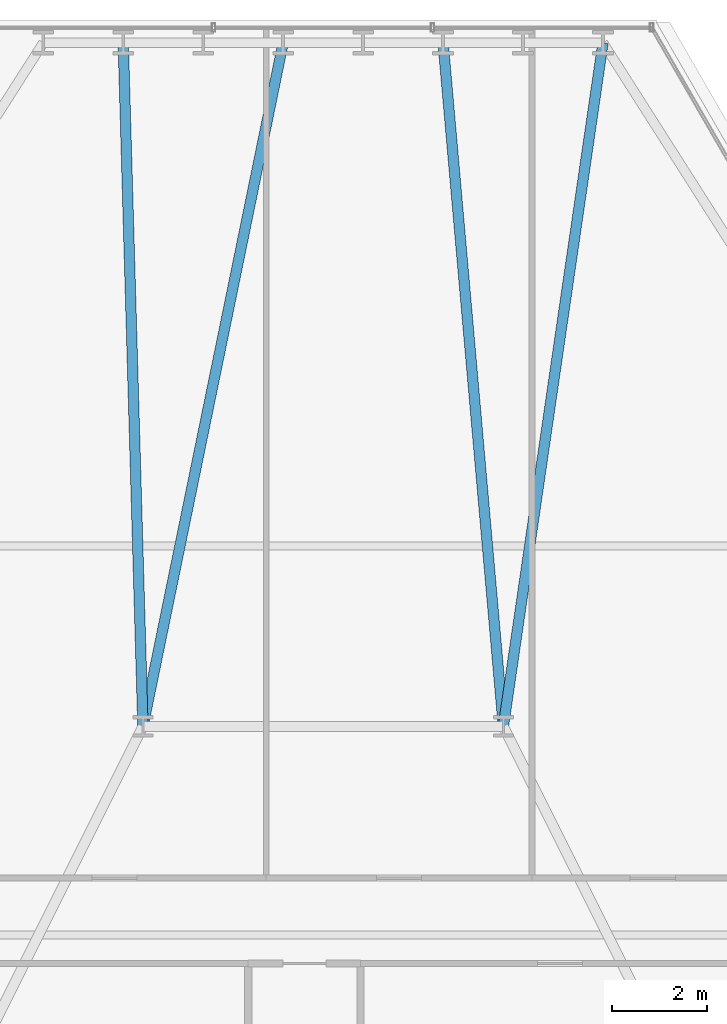
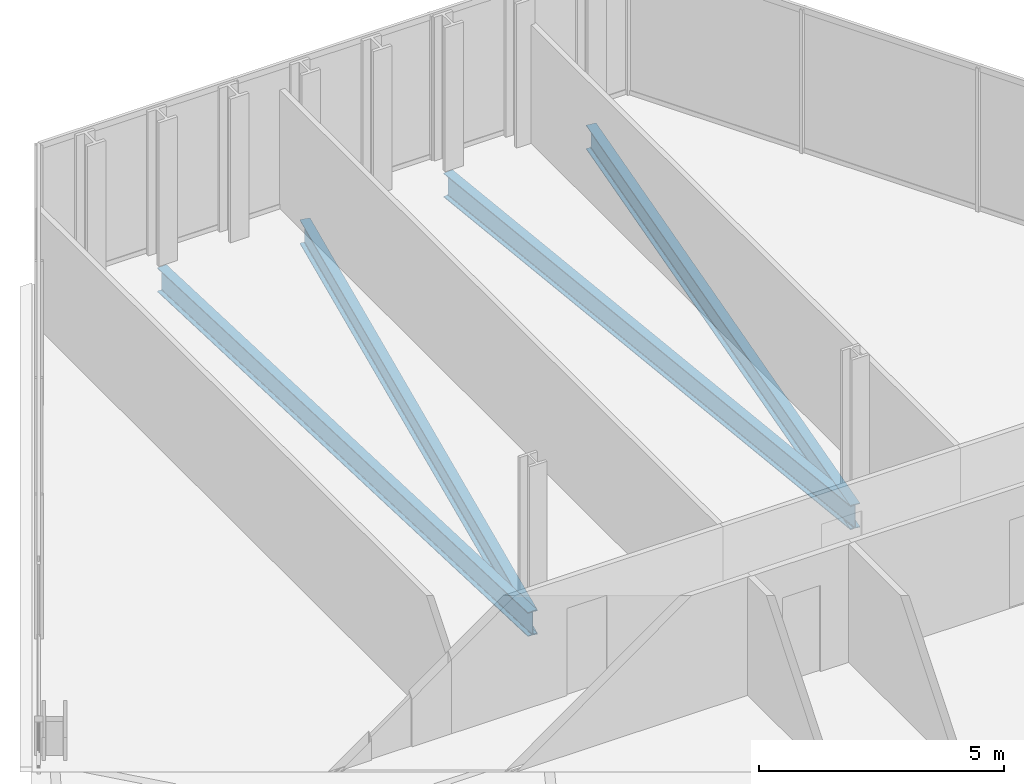
# One storey, part 23 of 32: 4 beams.
"""IFC4 building model written with IfcOpenShell, lengths in metres."""

import ifcopenshell
import ifcopenshell.guid

model = None  # the IFC model being written
_history = None  # IfcOwnerHistory: only IFC2X3 demands one
_inside = {}  # id of a spatial element -> (the spatial element, [elements in it])
_under = {}  # id of a project, library or spatial element -> (it, [spatial elements below it])
_declared = {}  # id of a project -> (the project, [libraries it declares])
_typed = {}  # id of a type object -> (the type object, [elements of that type])
_made_of = {}  # id of a material, layer set ... -> (it, [elements and type objects made of it])


def new_model(schema):
    """Start an empty IFC model of exactly this schema.

    Asked for "IFC4X3", IfcOpenShell would pick the latest addendum, in which some entities
    have other attributes; the version numbers below select the first issue.
    IFC2X3 requires an IfcOwnerHistory on every rooted entity: one is made here for all.
    """
    global model, _history
    if schema == "IFC4X3":
        model = ifcopenshell.file(schema_version=(4, 3, 0, 0))
    else:
        model = ifcopenshell.file(schema=schema)
    _inside.clear()
    _under.clear()
    _declared.clear()
    _typed.clear()
    _made_of.clear()
    _history = None
    if model.schema == "IFC2X3":
        org = make("IfcOrganization", Name="unknown")
        user = make(
            "IfcPersonAndOrganization",
            ThePerson=make("IfcPerson", FamilyName="unknown"),
            TheOrganization=org,
        )
        app = make(
            "IfcApplication",
            ApplicationDeveloper=org,
            Version="unknown",
            ApplicationFullName="unknown",
            ApplicationIdentifier="unknown",
        )
        _history = make(
            "IfcOwnerHistory",
            OwningUser=user,
            OwningApplication=app,
            ChangeAction="ADDED",
            CreationDate=0,
        )
    return model


def make(cls, **values):
    """One entity of the class cls with the attributes given. An attribute that is None is left unset."""
    return model.create_entity(
        cls, **{name: value for name, value in values.items() if value is not None}
    )


def rooted(cls, **values):
    """An entity with a GlobalId (a new one), such as an element, a storey or a relation."""
    return make(cls, GlobalId=ifcopenshell.guid.new(), OwnerHistory=_history, **values)


def si_unit(unit_type, name, prefix=None):
    """IfcSIUnit, for example si_unit("LENGTHUNIT", "METRE", prefix="MILLI")."""
    return make("IfcSIUnit", UnitType=unit_type, Prefix=prefix, Name=name)


def assignment(units):
    """IfcUnitAssignment: the units of a project."""
    return None if units is None else make("IfcUnitAssignment", Units=units)


def point(xyz):
    """IfcCartesianPoint."""
    return None if xyz is None else make("IfcCartesianPoint", Coordinates=xyz)


def direction(xyz):
    """IfcDirection."""
    return None if xyz is None else make("IfcDirection", DirectionRatios=xyz)


def frame(location, z_axis=None, x_axis=None):
    """IfcAxis2Placement3D, a coordinate frame: its origin and axes. An axis left out is left unset."""
    return make(
        "IfcAxis2Placement3D",
        Location=point(location),
        Axis=direction(z_axis),
        RefDirection=direction(x_axis),
    )


def frame_2d(location, x_axis=None):
    """IfcAxis2Placement2D, a coordinate frame in the plane: its origin and x axis."""
    return make(
        "IfcAxis2Placement2D", Location=point(location), RefDirection=direction(x_axis)
    )


def origin():
    """The frame at (0, 0, 0) with its axes left unset."""
    return frame((0.0, 0.0, 0.0))


def origin_2d():
    """The frame at (0, 0) in the plane with its x axis left unset."""
    return frame_2d((0.0, 0.0))


def place(relative_to, where):
    """IfcLocalPlacement: puts the frame where relative to a parent placement (None: the world)."""
    return make(
        "IfcLocalPlacement", PlacementRelTo=relative_to, RelativePlacement=where
    )


def context(
    kind, dimensions, precision=None, world=None, true_north=None, identifier=None
):
    """IfcGeometricRepresentationContext, for example the 3D "Model" context."""
    return make(
        "IfcGeometricRepresentationContext",
        ContextIdentifier=identifier,
        ContextType=kind,
        CoordinateSpaceDimension=dimensions,
        Precision=precision,
        WorldCoordinateSystem=world,
        TrueNorth=true_north,
    )


def subcontext(parent, identifier, kind, view, scale=None):
    """IfcGeometricRepresentationSubContext, for example "Body" below "Model"."""
    return make(
        "IfcGeometricRepresentationSubContext",
        ContextIdentifier=identifier,
        ContextType=kind,
        ParentContext=parent,
        TargetScale=scale,
        TargetView=view,
    )


def project(units=None, contexts=None):
    """IfcProject with its units and contexts."""
    return rooted(
        "IfcProject",
        Name="project",
        RepresentationContexts=contexts,
        UnitsInContext=assignment(units),
    )


def spatial(cls, under=None, at=None, **own):
    """A site, building, storey or space (cls), placed at a placement, below another one or the project."""
    s = rooted(cls, ObjectPlacement=at, **own)
    if under is not None:
        _under.setdefault(under.id(), (under, []))[1].append(s)
    return s


def profile(cls, at=None, kind="AREA", **sizes):
    """A parametric profile (cls). Its sizes go by their IFC names, for example OverallWidth=200.0."""
    return make(cls, ProfileType=kind, Position=at, **sizes)


def i_section(**sizes):
    """IfcIShapeProfileDef."""
    return profile("IfcIShapeProfileDef", **sizes)


def extrude(swept, where, along, depth):
    """IfcExtrudedAreaSolid: the profile swept, set in the frame where, extruded along a direction by depth."""
    return make(
        "IfcExtrudedAreaSolid",
        SweptArea=swept,
        Position=where,
        ExtrudedDirection=direction(along),
        Depth=depth,
    )


def shape(context_of_items, identifier, shape_type, items):
    """IfcShapeRepresentation: the items that make up one representation, for example the "Body"."""
    return make(
        "IfcShapeRepresentation",
        ContextOfItems=context_of_items,
        RepresentationIdentifier=identifier,
        RepresentationType=shape_type,
        Items=items,
    )


def material(Name=None, Category=None):
    """IfcMaterial."""
    return make("IfcMaterial", Name=Name, Category=Category)


def material_profile(
    of_material, cross_section, Name=None, Category=None, Priority=None
):
    """IfcMaterialProfile: a cross section and its material."""
    return make(
        "IfcMaterialProfile",
        Name=Name,
        Material=of_material,
        Profile=cross_section,
        Priority=Priority,
        Category=Category,
    )


def profile_set(profiles, Name=None, composite=None):
    """IfcMaterialProfileSet."""
    return make(
        "IfcMaterialProfileSet",
        Name=Name,
        MaterialProfiles=profiles,
        CompositeProfile=composite,
    )


def made_of(thing, what):
    """Note that an element or type object is made of a material, layer set ...; save() writes the relation."""
    if what is not None:
        _made_of.setdefault(what.id(), (what, []))[1].append(thing)
    return thing


def type_object(cls, material=None, **own):
    """A type object (cls), such as IfcWallType, which elements share."""
    return made_of(rooted(cls, **own), material)


def element(
    cls,
    number,
    at=None,
    inside=None,
    cuts=None,
    type_object=None,
    material=None,
    context=None,
    identifier="Body",
    shape_type=None,
    held_by="IfcProductDefinitionShape",
    body=None,
    shapes=None,
    **own,
):
    """One element of the class cls, such as IfcWall. Its Tag is "e" and its number.

    at: its placement. inside: the storey or other place that contains it. cuts: it is an
    opening in that element (IfcRelVoidsElement). A single representation is given by context,
    identifier, shape_type and body (its items); several are given by shapes. held_by: the class
    of the entity that holds the representations. save() writes the other relations.
    """
    e = rooted(cls, Tag="e%d" % number, ObjectPlacement=at, **own)
    if body is not None:
        shapes = [shape(context, identifier, shape_type, body)]
    if shapes is not None:
        e.Representation = make(held_by, Representations=shapes)
    if inside is not None:
        _inside.setdefault(inside.id(), (inside, []))[1].append(e)
    if cuts is not None:
        rooted(
            "IfcRelVoidsElement", RelatingBuildingElement=cuts, RelatedOpeningElement=e
        )
    if type_object is not None:
        _typed.setdefault(type_object.id(), (type_object, []))[1].append(e)
    return made_of(e, material)


def aggregate(whole, parts):
    """IfcRelAggregates: a whole, such as a stair, and the parts it consists of."""
    return rooted("IfcRelAggregates", RelatingObject=whole, RelatedObjects=parts)


def save(model, path):
    """Write the relations noted so far, then the file.

    IfcRelAggregates (storeys below a building ...), IfcRelContainedInSpatialStructure (elements
    in a storey), IfcRelDefinesByType, IfcRelAssociatesMaterial and IfcRelDeclares: one each for
    every whole, place, type object, material and project.
    """
    for whole, parts in _under.values():
        aggregate(whole, parts)
    for where, things in _inside.values():
        rooted(
            "IfcRelContainedInSpatialStructure",
            RelatedElements=things,
            RelatingStructure=where,
        )
    for kind, things in _typed.values():
        rooted("IfcRelDefinesByType", RelatedObjects=things, RelatingType=kind)
    for what, things in _made_of.values():
        rooted("IfcRelAssociatesMaterial", RelatedObjects=things, RelatingMaterial=what)
    for by, libraries in _declared.values():
        rooted("IfcRelDeclares", RelatingContext=by, RelatedDefinitions=libraries)
    model.write(path)


model = new_model("IFC4")

# Units and contexts
model_context = context("Model", 3, precision=1e-05, world=origin(), true_north=direction((0.0, 1.0)))
body_context = subcontext(model_context, "Body", "Model", "MODEL_VIEW")
ifc_project = project(units=[si_unit("LENGTHUNIT", "METRE"), si_unit("AREAUNIT", "SQUARE_METRE"), si_unit("VOLUMEUNIT", "CUBIC_METRE"), si_unit("PLANEANGLEUNIT", "RADIAN"), si_unit("MASSUNIT", "GRAM", prefix="KILO")], contexts=[model_context])

# Site, building, storey
site_placement = place(None, origin())
site = spatial("IfcSite", under=ifc_project, at=site_placement, CompositionType="ELEMENT")
building_placement = place(site_placement, origin())
building = spatial("IfcBuilding", under=site, at=building_placement, Name="Ndaravel Arena Tower", CompositionType="ELEMENT")
storey_placement = place(building_placement, frame((0.0, 0.0, 93.0)))
storey = spatial("IfcBuildingStorey", under=building, at=storey_placement, Name="L21", CompositionType="ELEMENT", Elevation=93.0)

# Beams
ifc_material = material(Name="Steel S355", Category="steel")
ifc_material_profile = material_profile(ifc_material, i_section(OverallWidth=0.219970703125, OverallDepth=0.60009765625, WebThickness=0.011962890625, FlangeThickness=0.01904296875, FilletRadius=0.02392578125, at=origin_2d()), Name="IPE 600")
ifc_profile_set = profile_set([ifc_material_profile], Name="Steel S355")
beam_type = type_object("IfcBeamType", Name="BM-GIRD-IPE600", PredefinedType="BEAM", material=ifc_profile_set)
beam_1_placement = place(storey_placement, frame((47.90087890625, 45.614013671875, -0.52001953125), z_axis=(-0.144224834802, -0.98954494442, 0.0), x_axis=(0.98954494442, -0.144224834802, 0.0)))
element("IfcBeam", 1, at=beam_1_placement, inside=storey, type_object=beam_type, Name="L21 Radial Floor Girder FG-11", PredefinedType="BEAM", context=body_context, shape_type="SweptSolid", body=[
    extrude(i_section(OverallWidth=0.219970703125, OverallDepth=0.60009765625, WebThickness=0.011962890625, FlangeThickness=0.01904296875, FilletRadius=0.02392578125, at=origin_2d()), origin(), (0.0, 0.0, 1.0), 14.56640625),
])
beam_2_placement = place(storey_placement, frame((44.529052734375, 45.614013671875, -0.52001953125), z_axis=(0.087836690864, -0.996134888325, 0.0), x_axis=(0.996134888325, 0.087836690864, 0.0)))
element("IfcBeam", 2, at=beam_2_placement, inside=storey, type_object=beam_type, Name="L21 Radial Floor Girder FG-13", PredefinedType="BEAM", context=body_context, shape_type="SweptSolid", body=[
    extrude(i_section(OverallWidth=0.219970703125, OverallDepth=0.60009765625, WebThickness=0.011962890625, FlangeThickness=0.01904296875, FilletRadius=0.02392578125, at=origin_2d()), origin(), (0.0, 0.0, 1.0), 14.469970703125),
])
beam_3_placement = place(storey_placement, frame((41.156982421875, 45.614013671875, -0.52001953125), z_axis=(-0.200963740177, -0.979598680651, 0.0), x_axis=(0.979598680651, -0.200963740177, 0.0)))
element("IfcBeam", 3, at=beam_3_placement, inside=storey, type_object=beam_type, Name="L21 Radial Floor Girder FG-15", PredefinedType="BEAM", context=body_context, shape_type="SweptSolid", body=[
    extrude(i_section(OverallWidth=0.219970703125, OverallDepth=0.60009765625, WebThickness=0.011962890625, FlangeThickness=0.01904296875, FilletRadius=0.02392578125, at=origin_2d()), origin(), (0.0, 0.0, 1.0), 14.71435546875),
])
beam_4_placement = place(storey_placement, frame((37.78515625, 45.614013671875, -0.52001953125), z_axis=(0.028765192199, -0.999586196242, 0.0), x_axis=(0.999586196242, 0.028765192199, 0.0)))
element("IfcBeam", 4, at=beam_4_placement, inside=storey, type_object=beam_type, Name="L21 Radial Floor Girder FG-17", PredefinedType="BEAM", context=body_context, shape_type="SweptSolid", body=[
    extrude(i_section(OverallWidth=0.219970703125, OverallDepth=0.60009765625, WebThickness=0.011962890625, FlangeThickness=0.01904296875, FilletRadius=0.02392578125, at=origin_2d()), origin(), (0.0, 0.0, 1.0), 14.419921875),
])

save(model, "model.ifc")
